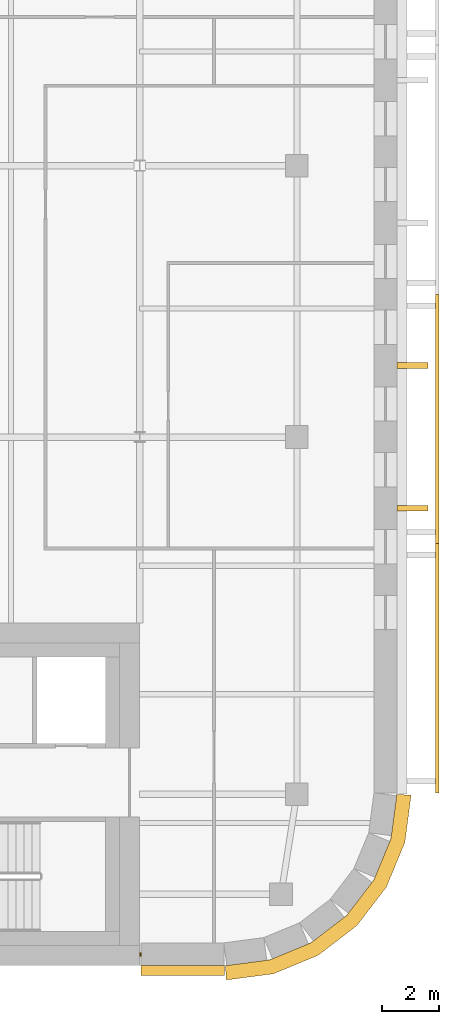
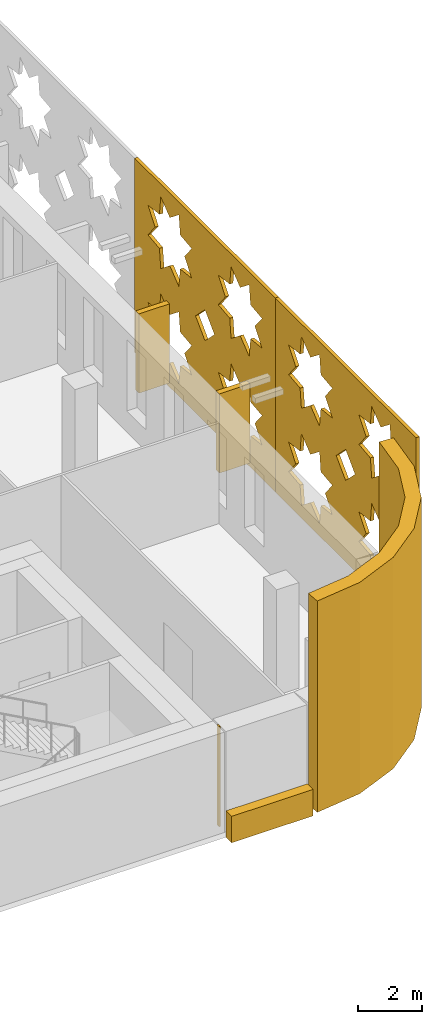
# One storey, part 16 of 17: 7 coverings.
"""IFC4 building model written with IfcOpenShell, lengths in metres."""

from ifc_helpers import new_model, si_unit, direction, frame, origin, origin_2d, place, context, subcontext, project, spatial, polyline, rectangle, outline, extrude, material, layer, layer_set, type_object, element, save


model = new_model("IFC4")

# Units and contexts
model_context = context("Model", 3, precision=1e-05, world=origin(), true_north=direction((0.0, 1.0)))
body_context = subcontext(model_context, "Body", "Model", "MODEL_VIEW")
ifc_project = project(units=[si_unit("LENGTHUNIT", "METRE"), si_unit("AREAUNIT", "SQUARE_METRE"), si_unit("VOLUMEUNIT", "CUBIC_METRE"), si_unit("PLANEANGLEUNIT", "RADIAN"), si_unit("MASSUNIT", "GRAM", prefix="KILO")], contexts=[model_context])

# Site, building, storey
site_placement = place(None, origin())
site = spatial("IfcSite", under=ifc_project, at=site_placement, CompositionType="ELEMENT")
building_placement = place(site_placement, origin())
building = spatial("IfcBuilding", under=site, at=building_placement, Name="Zellij Exchange Tower", CompositionType="ELEMENT")
storey_placement = place(building_placement, frame((0.0, 0.0, 256.5)))
storey = spatial("IfcBuildingStorey", under=building, at=storey_placement, Name="L60", CompositionType="ELEMENT", Elevation=256.5)

# Coverings
ifc_material_1 = material(Name="Limestone cladding", Category="masonry")
ifc_layer_1 = layer(ifc_material_1, 0.35009765625)
ifc_layer_set_1 = layer_set([ifc_layer_1], Name="Limestone cladding")
covering_type_1 = type_object("IfcCoveringType", Name="ENV-CV10 Stone spandrel band 350", PredefinedType="CLADDING", material=ifc_layer_set_1)
covering_1_placement = place(storey_placement, frame((0.0, 0.0, -0.199951171875)))
element("IfcCovering", 1, at=covering_1_placement, inside=storey, type_object=covering_type_1, Name="Stone spandrel band", PredefinedType="CLADDING", context=body_context, shape_type="SweptSolid", body=[
    extrude(outline(polyline([(27.050048828125, -14.0), (29.973876953125, -14.0), (29.973876953125, -14.35009765625), (27.050048828125, -14.35009765625), (27.050048828125, -14.0)])), origin(), (0.0, 0.0, 1.0), 1.0),
])
ifc_layer_2 = layer(ifc_material_1, 0.5)
ifc_layer_set_2 = layer_set([ifc_layer_2], Name="Limestone cladding")
covering_type_2 = type_object("IfcCoveringType", Name="ENV-CV12 Stone corner pier 500", PredefinedType="CLADDING", material=ifc_layer_set_2)
covering_2_placement = place(storey_placement, origin())
element("IfcCovering", 2, at=covering_2_placement, inside=storey, type_object=covering_type_2, Name="Stone corner pier", PredefinedType="CLADDING", context=body_context, shape_type="SweptSolid", body=[
    extrude(outline(polyline([(30.0, -14.0), (31.552978515625, -13.795654296875), (33.0, -13.1962890625), (34.24267578125, -12.24267578125), (35.1962890625, -11.0), (35.795654296875, -9.552978515625), (36.0, -8.0), (36.5, -8.03271484375), (36.28271484375, -9.683349609375), (35.6328125, -11.252197265625), (34.59912109375, -12.59912109375), (33.252197265625, -13.6328125), (31.683349609375, -14.28271484375), (30.03271484375, -14.5), (30.0, -14.0)])), origin(), (0.0, 0.0, 1.0), 8.0),
])
ifc_layer_3 = layer(ifc_material_1, 0.1201171875)
ifc_layer_set_3 = layer_set([ifc_layer_3], Name="Limestone cladding")
covering_type_3 = type_object("IfcCoveringType", Name="ENV-CV18 Glazing closer 120", PredefinedType="CLADDING", material=ifc_layer_set_3)
covering_3_placement = place(storey_placement, frame((27.02490234375, -13.60009765625, 0.0), z_axis=(0.0, 0.0, 1.0), x_axis=(-1.0, 0.0, 0.0)))
element("IfcCovering", 3, at=covering_3_placement, inside=storey, type_object=covering_type_3, Name="Glazing closer", PredefinedType="CLADDING", context=body_context, shape_type="SweptSolid", body=[
    extrude(rectangle(XDim=0.050048828125, YDim=0.1201171875, at=origin_2d()), origin(), (0.0, 0.0, 1.0), 3.800048828125),
])
covering_type_4 = type_object("IfcCoveringType", Name="ENV-CV6 Stone pier 200x1100", PredefinedType="CLADDING", material=ifc_material_1)
covering_4_placement = place(storey_placement, frame((0.0, 0.0, 0.800048828125)))
element("IfcCovering", 4, at=covering_4_placement, inside=storey, type_object=covering_type_4, Name="Stone pier", PredefinedType="CLADDING", context=body_context, shape_type="SweptSolid", body=[
    extrude(outline(polyline([(36.0, 1.9111328125), (36.0, 2.111083984375), (37.10009765625, 2.111083984375), (37.10009765625, 1.9111328125), (36.0, 1.9111328125)])), origin(), (0.0, 0.0, 1.0), 3.0),
])
covering_5_placement = place(storey_placement, frame((0.0, 0.0, 0.800048828125)))
element("IfcCovering", 5, at=covering_5_placement, inside=storey, type_object=covering_type_4, Name="Stone pier", PredefinedType="CLADDING", context=body_context, shape_type="SweptSolid", body=[
    extrude(outline(polyline([(36.0, 6.90380859375), (36.0, 7.103759765625), (37.10009765625, 7.103759765625), (37.10009765625, 6.90380859375), (36.0, 6.90380859375)])), origin(), (0.0, 0.0, 1.0), 3.0),
])
ifc_material_2 = material(Name="Limestone screen", Category="masonry")
ifc_layer_4 = layer(ifc_material_2, 0.1201171875)
ifc_layer_set_4 = layer_set([ifc_layer_4], Name="Limestone screen")
covering_type_5 = type_object("IfcCoveringType", Name="ENV-SC1 Pierced stone screen 120", PredefinedType="USERDEFINED", material=ifc_layer_set_4)
covering_6_placement = place(storey_placement, frame((37.409912109375, -7.947509765625, 0.300048828125), z_axis=(0.0, 0.0, 1.0), x_axis=(0.0, 1.0, 0.0)))
element("IfcCovering", 6, at=covering_6_placement, inside=storey, type_object=covering_type_5, Name="Pierced stone screen", ObjectType="SCREEN", PredefinedType="USERDEFINED", context=body_context, shape_type="SweptSolid", body=[
    extrude(outline(polyline([(0.0, 0.0), (8.723876953125, 0.0), (8.723876953125, 7.35009765625), (0.0, 7.35009765625), (0.0, 0.0)]), holes=[polyline([(3.5390625, 2.39990234375), (2.825439453125, 2.48193359375), (2.743408203125, 3.195556640625), (2.180908203125, 2.748779296875), (1.618408203125, 3.195556640625), (1.53662109375, 2.48193359375), (0.82275390625, 2.39990234375), (1.26953125, 1.83740234375), (0.82275390625, 1.27490234375), (1.53662109375, 1.193115234375), (1.618408203125, 0.4794921875), (2.180908203125, 0.926025390625), (2.743408203125, 0.4794921875), (2.825439453125, 1.193115234375), (3.5390625, 1.27490234375), (3.09228515625, 1.83740234375), (3.5390625, 2.39990234375)]), polyline([(3.5390625, 6.074951171875), (2.825439453125, 6.156982421875), (2.743408203125, 6.87060546875), (2.180908203125, 6.423828125), (1.618408203125, 6.87060546875), (1.53662109375, 6.156982421875), (0.82275390625, 6.074951171875), (1.26953125, 5.512451171875), (0.82275390625, 4.949951171875), (1.53662109375, 4.867919921875), (1.618408203125, 4.154296875), (2.180908203125, 4.60107421875), (2.743408203125, 4.154296875), (2.825439453125, 4.867919921875), (3.5390625, 4.949951171875), (3.09228515625, 5.512451171875), (3.5390625, 6.074951171875)]), polyline([(7.90087890625, 2.39990234375), (7.187255859375, 2.48193359375), (7.10546875, 3.195556640625), (6.542724609375, 2.748779296875), (5.980224609375, 3.195556640625), (5.8984375, 2.48193359375), (5.184814453125, 2.39990234375), (5.63134765625, 1.83740234375), (5.184814453125, 1.27490234375), (5.8984375, 1.193115234375), (5.980224609375, 0.4794921875), (6.542724609375, 0.926025390625), (7.10546875, 0.4794921875), (7.187255859375, 1.193115234375), (7.90087890625, 1.27490234375), (7.4541015625, 1.83740234375), (7.90087890625, 2.39990234375)]), polyline([(7.90087890625, 6.074951171875), (7.187255859375, 6.156982421875), (7.10546875, 6.87060546875), (6.542724609375, 6.423828125), (5.980224609375, 6.87060546875), (5.8984375, 6.156982421875), (5.184814453125, 6.074951171875), (5.63134765625, 5.512451171875), (5.184814453125, 4.949951171875), (5.8984375, 4.867919921875), (5.980224609375, 4.154296875), (6.542724609375, 4.60107421875), (7.10546875, 4.154296875), (7.187255859375, 4.867919921875), (7.90087890625, 4.949951171875), (7.4541015625, 5.512451171875), (7.90087890625, 6.074951171875)]), polyline([(4.949951171875, 3.675048828125), (4.36181640625, 4.262939453125), (3.77392578125, 3.675048828125), (4.36181640625, 3.0869140625), (4.949951171875, 3.675048828125)])]), frame((0.0, 0.06005859375, 0.0), z_axis=(0.0, -1.0, 0.0), x_axis=(1.0, 0.0, 0.0)), (0.0, 0.0, 1.0), 0.1201171875),
])
covering_7_placement = place(storey_placement, frame((37.409912109375, 0.776123046875, 0.300048828125), z_axis=(0.0, 0.0, 1.0), x_axis=(0.0, 1.0, 0.0)))
element("IfcCovering", 7, at=covering_7_placement, inside=storey, type_object=covering_type_5, Name="Pierced stone screen", ObjectType="SCREEN", PredefinedType="USERDEFINED", context=body_context, shape_type="SweptSolid", body=[
    extrude(outline(polyline([(0.0, 0.0), (8.723876953125, 0.0), (8.723876953125, 7.35009765625), (0.0, 7.35009765625), (0.0, 0.0)]), holes=[polyline([(3.5390625, 2.39990234375), (2.825439453125, 2.48193359375), (2.743408203125, 3.195556640625), (2.180908203125, 2.748779296875), (1.618408203125, 3.195556640625), (1.53662109375, 2.48193359375), (0.82275390625, 2.39990234375), (1.26953125, 1.83740234375), (0.82275390625, 1.27490234375), (1.53662109375, 1.193115234375), (1.618408203125, 0.4794921875), (2.180908203125, 0.926025390625), (2.743408203125, 0.4794921875), (2.825439453125, 1.193115234375), (3.5390625, 1.27490234375), (3.09228515625, 1.83740234375), (3.5390625, 2.39990234375)]), polyline([(3.5390625, 6.074951171875), (2.825439453125, 6.156982421875), (2.743408203125, 6.87060546875), (2.180908203125, 6.423828125), (1.618408203125, 6.87060546875), (1.53662109375, 6.156982421875), (0.82275390625, 6.074951171875), (1.26953125, 5.512451171875), (0.82275390625, 4.949951171875), (1.53662109375, 4.867919921875), (1.618408203125, 4.154296875), (2.180908203125, 4.60107421875), (2.743408203125, 4.154296875), (2.825439453125, 4.867919921875), (3.5390625, 4.949951171875), (3.09228515625, 5.512451171875), (3.5390625, 6.074951171875)]), polyline([(7.90087890625, 2.39990234375), (7.187255859375, 2.48193359375), (7.10546875, 3.195556640625), (6.542724609375, 2.748779296875), (5.980224609375, 3.195556640625), (5.8984375, 2.48193359375), (5.184814453125, 2.39990234375), (5.63134765625, 1.83740234375), (5.184814453125, 1.27490234375), (5.8984375, 1.193115234375), (5.980224609375, 0.4794921875), (6.542724609375, 0.926025390625), (7.10546875, 0.4794921875), (7.187255859375, 1.193115234375), (7.90087890625, 1.27490234375), (7.4541015625, 1.83740234375), (7.90087890625, 2.39990234375)]), polyline([(7.90087890625, 6.074951171875), (7.187255859375, 6.156982421875), (7.10546875, 6.87060546875), (6.542724609375, 6.423828125), (5.980224609375, 6.87060546875), (5.8984375, 6.156982421875), (5.184814453125, 6.074951171875), (5.63134765625, 5.512451171875), (5.184814453125, 4.949951171875), (5.8984375, 4.867919921875), (5.980224609375, 4.154296875), (6.542724609375, 4.60107421875), (7.10546875, 4.154296875), (7.187255859375, 4.867919921875), (7.90087890625, 4.949951171875), (7.4541015625, 5.512451171875), (7.90087890625, 6.074951171875)]), polyline([(4.949951171875, 3.675048828125), (4.36181640625, 4.262939453125), (3.77392578125, 3.675048828125), (4.36181640625, 3.0869140625), (4.949951171875, 3.675048828125)])]), frame((0.0, 0.06005859375, 0.0), z_axis=(0.0, -1.0, 0.0), x_axis=(1.0, 0.0, 0.0)), (0.0, 0.0, 1.0), 0.1201171875),
])

save(model, "model.ifc")
